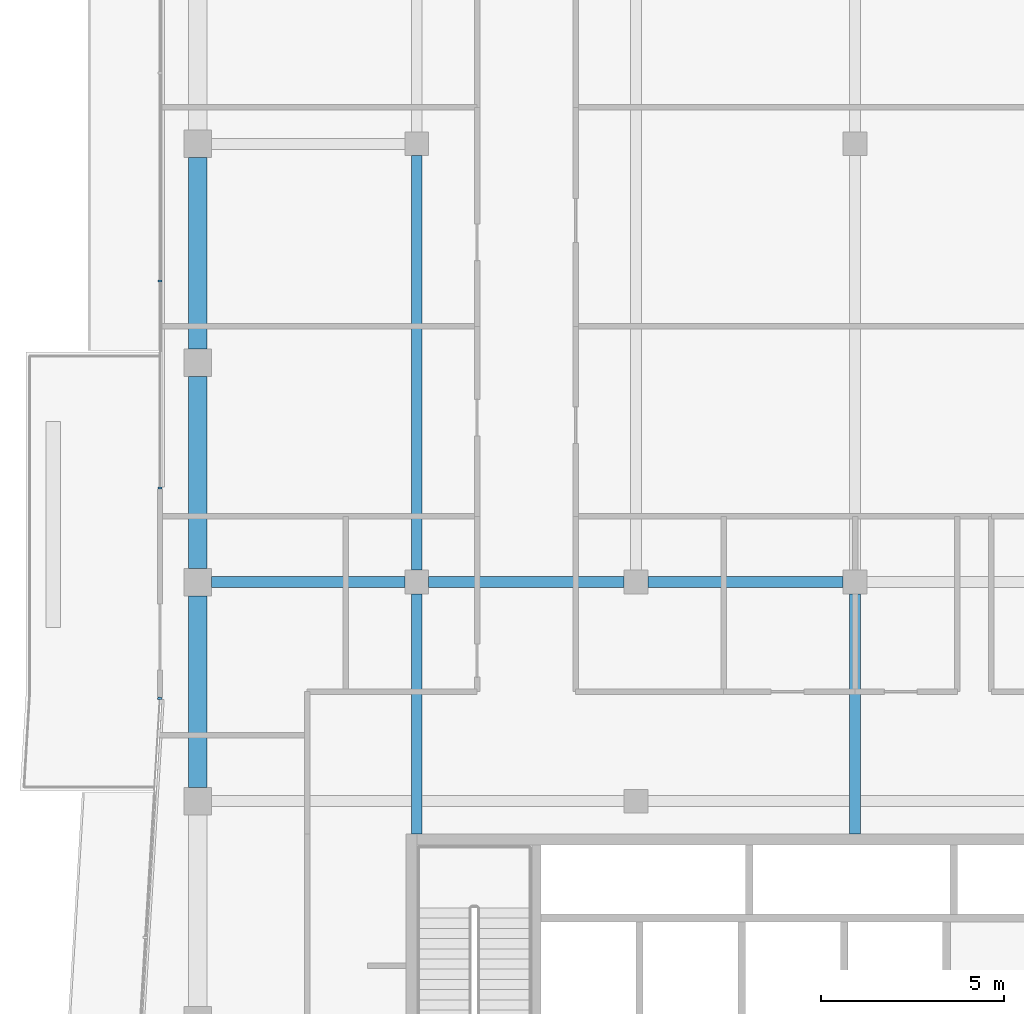
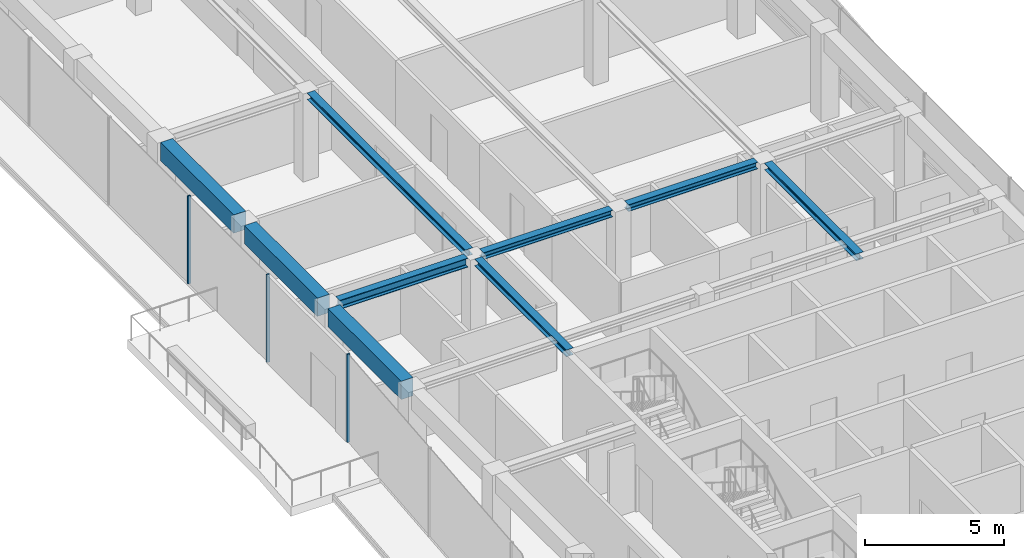
# One storey, part 6 of 18: 9 beams, 3 members, 2 elements without a shape of their own.
"""IFC4 building model written with IfcOpenShell, lengths in metres."""

from ifc_helpers import new_model, si_unit, direction, frame, origin, origin_2d, place, context, subcontext, project, spatial, rectangle, i_section, extrude, material, layer, layer_set, material_profile, profile_set, type_object, element, aggregate, save


model = new_model("IFC4")

# Units and contexts
model_context = context("Model", 3, precision=1e-05, world=origin(), true_north=direction((0.0, 1.0)))
body_context = subcontext(model_context, "Body", "Model", "MODEL_VIEW")
ifc_project = project(units=[si_unit("LENGTHUNIT", "METRE"), si_unit("AREAUNIT", "SQUARE_METRE"), si_unit("VOLUMEUNIT", "CUBIC_METRE"), si_unit("PLANEANGLEUNIT", "RADIAN"), si_unit("MASSUNIT", "GRAM", prefix="KILO")], contexts=[model_context])

# Site, building, storey
site_placement = place(None, origin())
site = spatial("IfcSite", under=ifc_project, at=site_placement, CompositionType="ELEMENT")
building_placement = place(site_placement, origin())
building = spatial("IfcBuilding", under=site, at=building_placement, Name="Welwitschia Terrace Campus", CompositionType="ELEMENT")
storey_placement = place(building_placement, frame((0.0, 0.0, 272.60009765625)))
storey = spatial("IfcBuildingStorey", under=building, at=storey_placement, Name="L60", CompositionType="ELEMENT", Elevation=272.60009765625)

# Beams
ifc_material_1 = material(Name="Steel S355", Category="steel")
ifc_material_profile_1 = material_profile(ifc_material_1, i_section(OverallWidth=0.300048828125, OverallDepth=0.300048828125, WebThickness=0.010986328125, FlangeThickness=0.01904296875, FilletRadius=0.027099609375, at=origin_2d()))
ifc_profile_set_1 = profile_set([ifc_material_profile_1], Name="Steel S355")
beam_type_1 = type_object("IfcBeamType", Name="Interior girder HE 300 B", PredefinedType="BEAM", material=ifc_profile_set_1)
for number, where, z_axis, x_axis, name in (
    (1, (6.325439453125, 32.0, 3.699951171875), (1.0, 0.0, 0.0), (0.0, 1.0, 0.0), "Girder GB6"),
    (2, (12.325439453125, 32.0, 3.699951171875), (1.0, 0.0, 0.0), (0.0, 1.0, 0.0), "Girder GB6"),
):
    element("IfcBeam", number, at=place(storey_placement, frame(where, z_axis=z_axis, x_axis=x_axis)), inside=storey, type_object=beam_type_1, Name=name, PredefinedType="BEAM", context=body_context, shape_type="SweptSolid", body=[
        extrude(i_section(OverallWidth=0.300048828125, OverallDepth=0.300048828125, WebThickness=0.010986328125, FlangeThickness=0.01904296875, FilletRadius=0.027099609375, at=origin_2d()), origin(), (0.0, 0.0, 1.0), 5.34912109375),
    ])
beam_1_placement = place(storey_placement, frame((6.0, 25.10107421875, 3.699951171875), z_axis=(0.0, 1.0, 0.0), x_axis=(-1.0, 0.0, 0.0)))
element("IfcBeam", 3, at=beam_1_placement, inside=storey, type_object=beam_type_1, Name="Girder GB6", PredefinedType="BEAM", context=body_context, shape_type="SweptSolid", body=[
    extrude(i_section(OverallWidth=0.300048828125, OverallDepth=0.300048828125, WebThickness=0.010986328125, FlangeThickness=0.01904296875, FilletRadius=0.027099609375, at=origin_2d()), origin(), (0.0, 0.0, 1.0), 6.573486328125),
])
beam_2_placement = place(storey_placement, frame((6.0, 32.325439453125, 3.699951171875), z_axis=(0.0, 1.0, 0.0), x_axis=(-1.0, 0.0, 0.0)))
element("IfcBeam", 4, at=beam_2_placement, inside=storey, type_object=beam_type_1, Name="Girder GB6", PredefinedType="BEAM", context=body_context, shape_type="SweptSolid", body=[
    extrude(i_section(OverallWidth=0.300048828125, OverallDepth=0.300048828125, WebThickness=0.010986328125, FlangeThickness=0.01904296875, FilletRadius=0.027099609375, at=origin_2d()), origin(), (0.0, 0.0, 1.0), 11.34912109375),
])
beam_3_placement = place(storey_placement, frame((18.0, 25.10107421875, 3.699951171875), z_axis=(0.0, 1.0, 0.0), x_axis=(-1.0, 0.0, 0.0)))
element("IfcBeam", 5, at=beam_3_placement, inside=storey, type_object=beam_type_1, Name="Girder GB6", PredefinedType="BEAM", context=body_context, shape_type="SweptSolid", body=[
    extrude(i_section(OverallWidth=0.300048828125, OverallDepth=0.300048828125, WebThickness=0.010986328125, FlangeThickness=0.01904296875, FilletRadius=0.027099609375, at=origin_2d()), origin(), (0.0, 0.0, 1.0), 6.573486328125),
])

# Curtain wall, member
ifc_material_2 = material(Name="Bronze anodised aluminium", Category="aluminium")
ifc_layer = layer(ifc_material_2, 0.1201171875)
ifc_layer_set = layer_set([ifc_layer], Name="Bronze anodised aluminium")
curtain_wall_type = type_object("IfcCurtainWallType", Name="Curtain wall CW2 tower 6000", PredefinedType="NOTDEFINED", material=ifc_layer_set)
curtain_wall_1_placement = place(storey_placement, origin())
curtain_wall_1 = element("IfcCurtainWall", 6, at=curtain_wall_1_placement, inside=storey, type_object=curtain_wall_type, Name="CW L60.0.0", PredefinedType="NOTDEFINED")
ifc_material_3 = material(Name="Bronze anodised aluminium", Category="aluminium")
ifc_material_profile_2 = material_profile(ifc_material_3, rectangle(XDim=0.1201171875, YDim=0.06005859375, at=origin_2d()))
ifc_profile_set_2 = profile_set([ifc_material_profile_2], Name="Bronze anodised aluminium")
member_type = type_object("IfcMemberType", Name="Mullion 60x120", PredefinedType="MULLION", material=ifc_profile_set_2)
member_1_placement = place(storey_placement, frame((-1.03173828125, 28.816650390625, 0.0), z_axis=(0.0, 0.0, 1.0), x_axis=(0.998134798422, -0.061048539535, 0.0)))
member_1 = element("IfcMember", 7, at=member_1_placement, type_object=member_type, Name="Mullion L60.0.0.0", PredefinedType="MULLION", context=body_context, shape_type="SweptSolid", body=[
    extrude(rectangle(XDim=0.1201171875, YDim=0.06005859375, at=origin_2d()), origin(), (0.0, 0.0, 1.0), 3.849853515625),
])
aggregate(curtain_wall_1, [member_1])

# Curtain wall, members
curtain_wall_2_placement = place(storey_placement, origin())
curtain_wall_2 = element("IfcCurtainWall", 8, at=curtain_wall_2_placement, inside=storey, type_object=curtain_wall_type, Name="CW L60.9.0", PredefinedType="NOTDEFINED")
member_2_placement = place(storey_placement, frame((-1.030029296875, 40.240966796875, 0.0), z_axis=(0.0, 0.0, 1.0), x_axis=(1.0, 0.0, 0.0)))
member_2 = element("IfcMember", 9, at=member_2_placement, type_object=member_type, Name="Mullion L60.9.0.4", PredefinedType="MULLION", context=body_context, shape_type="SweptSolid", body=[
    extrude(rectangle(XDim=0.1201171875, YDim=0.06005859375, at=origin_2d()), origin(), (0.0, 0.0, 1.0), 3.849853515625),
])
member_3_placement = place(storey_placement, frame((-1.030029296875, 34.57373046875, 0.0), z_axis=(0.0, 0.0, 1.0), x_axis=(1.0, 0.0, 0.0)))
member_3 = element("IfcMember", 10, at=member_3_placement, type_object=member_type, Name="Mullion L60.9.0.5", PredefinedType="MULLION", context=body_context, shape_type="SweptSolid", body=[
    extrude(rectangle(XDim=0.1201171875, YDim=0.06005859375, at=origin_2d()), origin(), (0.0, 0.0, 1.0), 3.849853515625),
])
aggregate(curtain_wall_2, [member_2, member_3])

# Beams
ifc_material_4 = material(Name="Steel S355", Category="steel")
ifc_material_profile_3 = material_profile(ifc_material_4, i_section(OverallWidth=0.300048828125, OverallDepth=0.39990234375, WebThickness=0.013427734375, FlangeThickness=0.02392578125, FilletRadius=0.027099609375, at=origin_2d()))
ifc_profile_set_3 = profile_set([ifc_material_profile_3], Name="Steel S355")
beam_type_2 = type_object("IfcBeamType", Name="Primary beam HE 400 B", PredefinedType="BEAM", material=ifc_profile_set_3)
beam_4_placement = place(storey_placement, frame((0.37548828125, 32.0, 3.64990234375), z_axis=(1.0, 0.0, 0.0), x_axis=(0.0, 1.0, 0.0)))
element("IfcBeam", 11, at=beam_4_placement, inside=storey, type_object=beam_type_2, Name="Primary beam PB6", PredefinedType="BEAM", context=body_context, shape_type="SweptSolid", body=[
    extrude(i_section(OverallWidth=0.300048828125, OverallDepth=0.39990234375, WebThickness=0.013427734375, FlangeThickness=0.02392578125, FilletRadius=0.027099609375, at=origin_2d()), origin(), (0.0, 0.0, 1.0), 5.299072265625),
])
ifc_material_5 = material(Name="Concrete C50/60", Category="concrete")
ifc_material_profile_4 = material_profile(ifc_material_5, rectangle(XDim=0.5, YDim=0.800048828125, at=origin_2d()))
ifc_profile_set_4 = profile_set([ifc_material_profile_4], Name="Concrete C50/60")
beam_type_3 = type_object("IfcBeamType", Name="Ring spandrel 500x800", PredefinedType="SPANDREL", material=ifc_profile_set_4)
for number, where, z_axis, x_axis, name in (
    (12, (0.0, 43.62451171875, 3.449951171875), (0.0, -1.0, 0.0), (1.0, 0.0, 0.0), "Spandrel SP4"),
    (13, (0.0, 37.62451171875, 3.449951171875), (0.0, -1.0, 0.0), (1.0, 0.0, 0.0), "Spandrel SP4"),
    (14, (0.0, 31.62451171875, 3.449951171875), (0.0, -1.0, 0.0), (1.0, 0.0, 0.0), "Spandrel SP4"),
):
    element("IfcBeam", number, at=place(storey_placement, frame(where, z_axis=z_axis, x_axis=x_axis)), inside=storey, type_object=beam_type_3, Name=name, PredefinedType="SPANDREL", context=body_context, shape_type="SweptSolid", body=[
        extrude(rectangle(XDim=0.5, YDim=0.800048828125, at=origin_2d()), origin(), (0.0, 0.0, 1.0), 5.2490234375),
    ])

save(model, "model.ifc")
